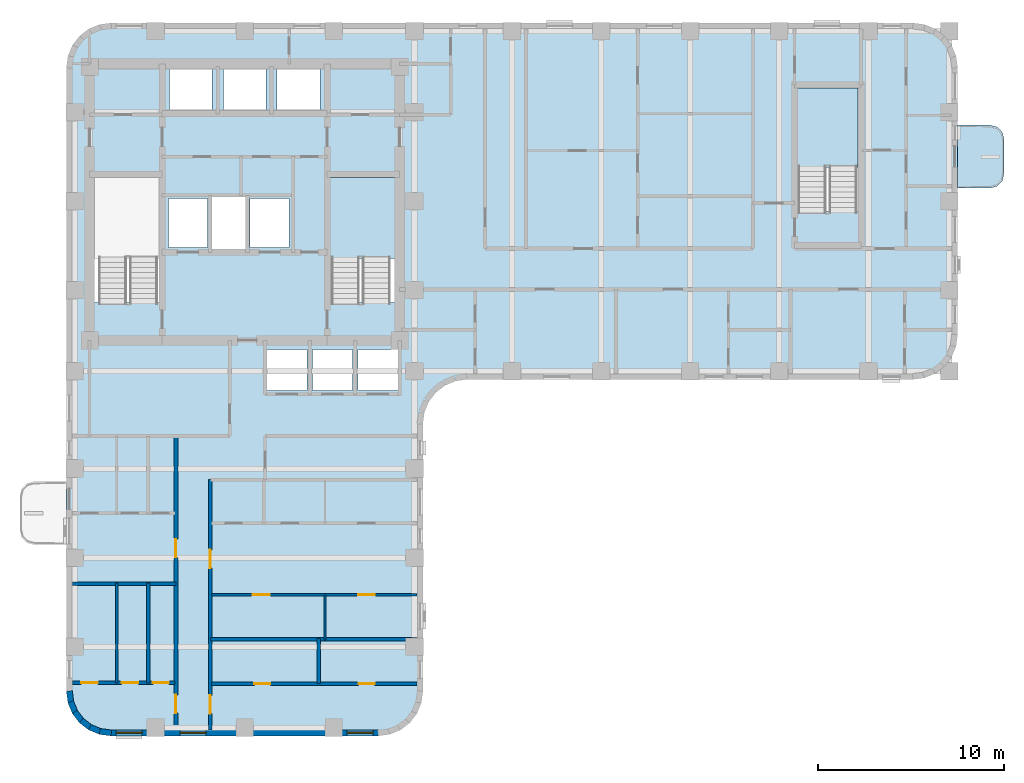
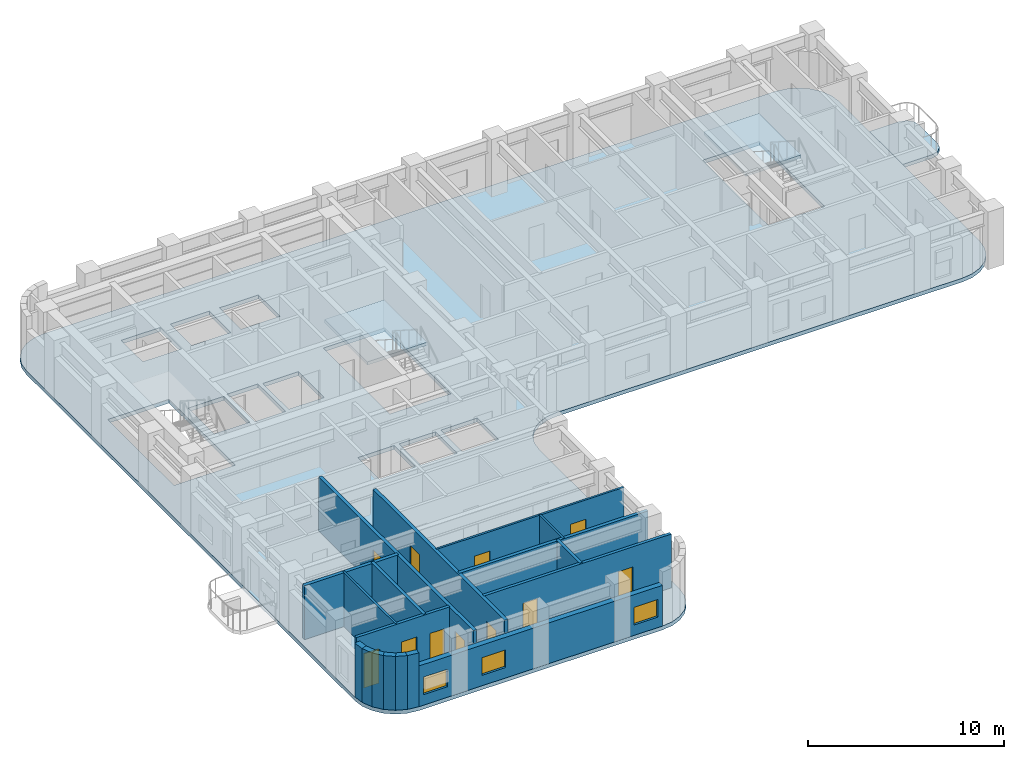
# One storey, part 2 of 9: 18 walls, 11 doors, 4 slabs, 3 windows, 14 openings, 2 elements without a shape of their own.
"""IFC4 building model written with IfcOpenShell, lengths in metres."""

from ifc_helpers import new_model, si_unit, direction, frame, frame_2d, origin, place, context, subcontext, project, spatial, polyline, rectangle, outline, extrude, material, layer, layer_set, type_object, element, fill, aggregate, save


model = new_model("IFC4")

# Units and contexts
model_context = context("Model", 3, precision=1e-05, world=origin(), true_north=direction((0.0, 1.0)))
body_context = subcontext(model_context, "Body", "Model", "MODEL_VIEW")
ifc_project = project(units=[si_unit("LENGTHUNIT", "METRE"), si_unit("AREAUNIT", "SQUARE_METRE"), si_unit("VOLUMEUNIT", "CUBIC_METRE"), si_unit("PLANEANGLEUNIT", "RADIAN"), si_unit("MASSUNIT", "GRAM", prefix="KILO")], contexts=[model_context])

# Site, building, storey
site_placement = place(None, origin())
site = spatial("IfcSite", under=ifc_project, at=site_placement, CompositionType="ELEMENT")
building_placement = place(site_placement, origin())
building = spatial("IfcBuilding", under=site, at=building_placement, Name="Orvandelia Arch Residences", CompositionType="ELEMENT")
storey_placement = place(building_placement, frame((0.0, 0.0, 128.800048828125)))
storey = spatial("IfcBuildingStorey", under=building, at=storey_placement, Name="L33", CompositionType="ELEMENT", Elevation=128.800048828125)

# Slab
ifc_material_1 = material(Name="Precast concrete C40/50", Category="concrete")
ifc_layer_1 = layer(ifc_material_1, 0.219970703125, Name="Precast concrete C40/50", Category="concrete")
ifc_layer_set_1 = layer_set([ifc_layer_1], Name="Precast concrete C40/50")
slab_type_1 = type_object("IfcSlabType", Name="SLB-BAL-220", PredefinedType="USERDEFINED", material=ifc_layer_set_1)
slab_1_placement = place(storey_placement, frame((0.0, 0.0, -0.219970703125)))
element("IfcSlab", 1, at=slab_1_placement, inside=storey, type_object=slab_type_1, Name="Tree Balcony Cantilever Slab BAL-L33-E1", ObjectType="BALCONY", PredefinedType="USERDEFINED", context=body_context, shape_type="SweptSolid", body=[
    extrude(outline(polyline([(52.800048828125, 42.5), (52.800048828125, 39.10009765625), (54.550048828125, 39.10009765625), (54.925048828125, 39.200439453125), (55.199462890625, 39.47509765625), (55.300048828125, 39.85009765625), (55.300048828125, 41.75), (55.199462890625, 42.125), (54.925048828125, 42.3994140625), (54.550048828125, 42.5), (52.800048828125, 42.5)])), origin(), (0.0, 0.0, 1.0), 0.219970703125),
])

# Stair, slab
ifc_material_2 = material(Name="Concrete C40/50", Category="concrete")
stair_type = type_object("IfcStairType", Name="STAIR-RC-DOGLEG", PredefinedType="HALF_TURN_STAIR", material=ifc_material_2)
stair_1_placement = place(storey_placement, origin())
stair_1 = element("IfcStair", 2, at=stair_1_placement, inside=storey, type_object=stair_type, Name="L33 Protected Exit Stair ST-2", PredefinedType="HALF_TURN_STAIR")
ifc_layer_2 = layer(ifc_material_2, 0.219970703125, Name="Concrete C40/50", Category="concrete")
ifc_layer_set_2 = layer_set([ifc_layer_2], Name="Concrete C40/50")
slab_type_2 = type_object("IfcSlabType", Name="SLB-LANDING-220", PredefinedType="LANDING", material=ifc_layer_set_2)
slab_2_placement = place(storey_placement, frame((0.0, 0.0, 1.599853515625)))
slab_2 = element("IfcSlab", 3, at=slab_2_placement, type_object=slab_type_2, Name="ST-2 landing 1", PredefinedType="LANDING", context=body_context, shape_type="SweptSolid", body=[
    extrude(outline(polyline([(22.5400390625, 35.31005859375), (22.5400390625, 39.68994140625), (19.0, 39.68994140625), (19.0, 35.31005859375), (22.5400390625, 35.31005859375)])), origin(), (0.0, 0.0, 1.0), 0.2001953125),
])
aggregate(stair_1, [slab_2])

stair_2_placement = place(storey_placement, origin())
stair_2 = element("IfcStair", 4, at=stair_2_placement, inside=storey, type_object=stair_type, Name="L33 East Wing Exit Stair ST-3", PredefinedType="HALF_TURN_STAIR")
slab_3_placement = place(storey_placement, frame((0.0, 0.0, 1.599853515625)))
slab_3 = element("IfcSlab", 5, at=slab_3_placement, type_object=slab_type_2, Name="ST-3 landing 1", PredefinedType="LANDING", context=body_context, shape_type="SweptSolid", body=[
    extrude(outline(polyline([(47.43994140625, 40.2099609375), (47.43994140625, 44.5), (44.179931640625, 44.5), (44.179931640625, 40.2099609375), (47.43994140625, 40.2099609375)])), origin(), (0.0, 0.0, 1.0), 0.2001953125),
])
aggregate(stair_2, [slab_3])

# Slab
ifc_layer_3 = layer(ifc_material_2, 0.239990234375, Name="Concrete C40/50", Category="concrete")
ifc_layer_set_3 = layer_set([ifc_layer_3], Name="Concrete C40/50")
slab_type_3 = type_object("IfcSlabType", Name="SLB-TWR-240", PredefinedType="FLOOR", material=ifc_layer_set_3)
slab_4_placement = place(storey_placement, frame((0.0, 0.0, -0.239990234375)))
element("IfcSlab", 6, at=slab_4_placement, inside=storey, type_object=slab_type_3, Name="Structural Floor Slab L33-1", PredefinedType="FLOOR", context=body_context, shape_type="SweptSolid", body=[
    extrude(outline(polyline([(4.800048828125, 12.0), (4.8818359375, 11.37890625), (5.12158203125, 10.800048828125), (5.5029296875, 10.302978515625), (6.0, 9.92138671875), (6.578857421875, 9.681884765625), (7.199951171875, 9.60009765625), (21.60009765625, 9.60009765625), (22.22119140625, 9.681884765625), (22.800048828125, 9.92138671875), (23.297119140625, 10.302978515625), (23.678466796875, 10.800048828125), (23.918212890625, 11.37890625), (24.0, 12.0), (24.0, 26.39990234375), (24.081787109375, 27.021240234375), (24.321533203125, 27.60009765625), (24.702880859375, 28.09716796875), (25.199951171875, 28.478515625), (25.77880859375, 28.71826171875), (26.39990234375, 28.800048828125), (50.39990234375, 28.800048828125), (51.021240234375, 28.8818359375), (51.60009765625, 29.12158203125), (52.09716796875, 29.5029296875), (52.478515625, 30.0), (52.71826171875, 30.578857421875), (52.800048828125, 31.199951171875), (52.800048828125, 45.60009765625), (52.71826171875, 46.22119140625), (52.478515625, 46.800048828125), (52.09716796875, 47.297119140625), (51.60009765625, 47.678466796875), (51.021240234375, 47.918212890625), (50.39990234375, 48.0), (7.199951171875, 48.0), (6.578857421875, 47.918212890625), (6.0, 47.678466796875), (5.5029296875, 47.297119140625), (5.12158203125, 46.800048828125), (4.8818359375, 46.22119140625), (4.800048828125, 45.60009765625), (4.800048828125, 12.0)]), holes=[polyline([(6.219970703125, 32.949951171875), (9.840087890625, 32.949951171875), (9.840087890625, 39.72998046875), (6.219970703125, 39.72998046875), (6.219970703125, 32.949951171875)]), polyline([(18.9599609375, 32.949951171875), (22.580078125, 32.949951171875), (22.580078125, 39.72998046875), (18.9599609375, 39.72998046875), (18.9599609375, 32.949951171875)]), polyline([(44.139892578125, 37.85009765625), (47.47998046875, 37.85009765625), (47.47998046875, 44.5400390625), (44.139892578125, 44.5400390625), (44.139892578125, 37.85009765625)]), polyline([(12.639892578125, 35.81005859375), (14.4599609375, 35.81005859375), (14.4599609375, 38.639892578125), (12.639892578125, 38.639892578125), (12.639892578125, 35.81005859375)]), polyline([(10.300048828125, 35.89990234375), (12.39990234375, 35.89990234375), (12.39990234375, 38.550048828125), (10.300048828125, 38.550048828125), (10.300048828125, 35.89990234375)]), polyline([(14.699951171875, 35.89990234375), (16.800048828125, 35.89990234375), (16.800048828125, 38.550048828125), (14.699951171875, 38.550048828125), (14.699951171875, 35.89990234375)]), polyline([(10.35009765625, 43.300048828125), (12.64990234375, 43.300048828125), (12.64990234375, 45.5), (10.35009765625, 45.5), (10.35009765625, 43.300048828125)]), polyline([(13.25, 43.300048828125), (15.550048828125, 43.300048828125), (15.550048828125, 45.5), (13.25, 45.5), (13.25, 43.300048828125)]), polyline([(16.14990234375, 43.300048828125), (18.449951171875, 43.300048828125), (18.449951171875, 45.5), (16.14990234375, 45.5), (16.14990234375, 43.300048828125)]), polyline([(15.60009765625, 28.199951171875), (17.75, 28.199951171875), (17.75, 30.39990234375), (15.60009765625, 30.39990234375), (15.60009765625, 28.199951171875)]), polyline([(18.050048828125, 28.199951171875), (20.199951171875, 28.199951171875), (20.199951171875, 30.39990234375), (18.050048828125, 30.39990234375), (18.050048828125, 28.199951171875)]), polyline([(20.5, 28.199951171875), (22.64990234375, 28.199951171875), (22.64990234375, 30.39990234375), (20.5, 30.39990234375), (20.5, 28.199951171875)])]), origin(), (0.0, 0.0, 1.0), 0.239990234375),
])

# Wall, openings, doors
ifc_material_3 = material(Name="Fire-Rated Corridor Partition")
ifc_layer_4 = layer(ifc_material_3, 0.199951171875, Name="Fire-Rated Corridor Partition")
ifc_layer_set_4 = layer_set([ifc_layer_4], Name="Fire-Rated Corridor Partition")
wall_type_1 = type_object("IfcWallType", Name="WL-CORR-200", PredefinedType="PARTITIONING", material=ifc_layer_set_4)
wall_1_placement = place(storey_placement, frame((10.699951171875, 9.919921875, 0.0), z_axis=(0.0, 0.0, 1.0), x_axis=(0.0, 1.0, 0.0)))
wall_1 = element("IfcWall", 7, at=wall_1_placement, inside=storey, type_object=wall_type_1, Name="Interior Partition Wall WL-L33-WC-W", PredefinedType="PARTITIONING", context=body_context, shape_type="SweptSolid", body=[
    extrude(rectangle(XDim=15.830078125, YDim=0.199951171875, at=frame_2d((7.9150390625, 0.0))), origin(), (0.0, 0.0, 1.0), 3.35986328125),
])
opening_1_placement = place(wall_1_placement, frame((0.910888671875, 0.0, 0.0)))
opening_1 = element("IfcOpeningElement", 8, at=opening_1_placement, cuts=wall_1, Name="Opening D1", PredefinedType="OPENING", context=body_context, shape_type="SweptSolid", body=[
    extrude(rectangle(XDim=0.97998046875, YDim=2.179931640625, at=frame_2d((0.489990234375, 1.08984375))), frame((0.0, 0.10986328125, 0.0), z_axis=(0.0, -1.0, 0.0), x_axis=(1.0, 0.0, 0.0)), (0.0, 0.0, 1.0), 0.219970703125),
])
opening_2_placement = place(wall_1_placement, frame((9.302001953125, 0.0, 0.0)))
opening_2 = element("IfcOpeningElement", 9, at=opening_2_placement, cuts=wall_1, Name="Opening D1", PredefinedType="OPENING", context=body_context, shape_type="SweptSolid", body=[
    extrude(rectangle(XDim=0.97998046875, YDim=2.179931640625, at=frame_2d((0.489990234375, 1.08984375))), frame((0.0, 0.10986328125, 0.0), z_axis=(0.0, -1.0, 0.0), x_axis=(1.0, 0.0, 0.0)), (0.0, 0.0, 1.0), 0.219970703125),
])
ifc_material_4 = material(Name="Solid-Core Timber Acoustic Fire Door", Category="wood")
door_type_1 = type_object("IfcDoorType", Name="DR-ENT-980", OperationType="NOTDEFINED", PredefinedType="DOOR", material=ifc_material_4)
door_1_placement = place(opening_1_placement, origin())
door_1 = element("IfcDoor", 10, at=door_1_placement, inside=storey, type_object=door_type_1, Name="Unit L33-01 Entrance Door", OperationType="SINGLE_SWING_LEFT", OverallHeight=2.179931640625, OverallWidth=0.97998046875, PredefinedType="DOOR", context=body_context, shape_type="SweptSolid", body=[
    extrude(rectangle(XDim=0.97998046875, YDim=2.179931640625, at=frame_2d((0.489990234375, 1.08984375))), frame((0.0, 0.02490234375, 0.0), z_axis=(0.0, -1.0, 0.0), x_axis=(1.0, 0.0, 0.0)), (0.0, 0.0, 1.0), 0.050048828125),
])
fill(opening_1, door_1)
door_2_placement = place(opening_2_placement, origin())
door_2 = element("IfcDoor", 11, at=door_2_placement, inside=storey, type_object=door_type_1, Name="Unit L33-02 Entrance Door", OperationType="SINGLE_SWING_RIGHT", OverallHeight=2.179931640625, OverallWidth=0.97998046875, PredefinedType="DOOR", context=body_context, shape_type="SweptSolid", body=[
    extrude(rectangle(XDim=0.97998046875, YDim=2.179931640625, at=frame_2d((0.489990234375, 1.08984375))), frame((0.0, 0.02490234375, 0.0), z_axis=(0.0, -1.0, 0.0), x_axis=(1.0, 0.0, 0.0)), (0.0, 0.0, 1.0), 0.050048828125),
])
fill(opening_2, door_2)

wall_2_placement = place(storey_placement, frame((12.550048828125, 9.919921875, 0.0), z_axis=(0.0, 0.0, 1.0), x_axis=(0.0, 1.0, 0.0)))
wall_2 = element("IfcWall", 12, at=wall_2_placement, inside=storey, type_object=wall_type_1, Name="Interior Partition Wall WL-L33-WC-E", PredefinedType="PARTITIONING", context=body_context, shape_type="SweptSolid", body=[
    extrude(rectangle(XDim=13.47998046875, YDim=0.199951171875, at=frame_2d((6.739990234375, 0.0))), origin(), (0.0, 0.0, 1.0), 3.35986328125),
])
opening_3_placement = place(wall_2_placement, frame((0.885009765625, 0.0, 0.0)))
opening_3 = element("IfcOpeningElement", 13, at=opening_3_placement, cuts=wall_2, Name="Opening D1", PredefinedType="OPENING", context=body_context, shape_type="SweptSolid", body=[
    extrude(rectangle(XDim=0.97998046875, YDim=2.179931640625, at=frame_2d((0.489990234375, 1.08984375))), frame((0.0, 0.10986328125, 0.0), z_axis=(0.0, -1.0, 0.0), x_axis=(1.0, 0.0, 0.0)), (0.0, 0.0, 1.0), 0.219970703125),
])
opening_4_placement = place(wall_2_placement, frame((8.718994140625, 0.0, 0.0)))
opening_4 = element("IfcOpeningElement", 14, at=opening_4_placement, cuts=wall_2, Name="Opening D1", PredefinedType="OPENING", context=body_context, shape_type="SweptSolid", body=[
    extrude(rectangle(XDim=0.97998046875, YDim=2.179931640625, at=frame_2d((0.489990234375, 1.08984375))), frame((0.0, 0.10986328125, 0.0), z_axis=(0.0, -1.0, 0.0), x_axis=(1.0, 0.0, 0.0)), (0.0, 0.0, 1.0), 0.219970703125),
])
door_3_placement = place(opening_3_placement, origin())
door_3 = element("IfcDoor", 15, at=door_3_placement, inside=storey, type_object=door_type_1, Name="Unit L33-03 Entrance Door", OperationType="SINGLE_SWING_LEFT", OverallHeight=2.179931640625, OverallWidth=0.97998046875, PredefinedType="DOOR", context=body_context, shape_type="SweptSolid", body=[
    extrude(rectangle(XDim=0.97998046875, YDim=2.179931640625, at=frame_2d((0.489990234375, 1.08984375))), frame((0.0, 0.02490234375, 0.0), z_axis=(0.0, -1.0, 0.0), x_axis=(1.0, 0.0, 0.0)), (0.0, 0.0, 1.0), 0.050048828125),
])
fill(opening_3, door_3)
door_4_placement = place(opening_4_placement, origin())
door_4 = element("IfcDoor", 16, at=door_4_placement, inside=storey, type_object=door_type_1, Name="Unit L33-04 Entrance Door", OperationType="SINGLE_SWING_RIGHT", OverallHeight=2.179931640625, OverallWidth=0.97998046875, PredefinedType="DOOR", context=body_context, shape_type="SweptSolid", body=[
    extrude(rectangle(XDim=0.97998046875, YDim=2.179931640625, at=frame_2d((0.489990234375, 1.08984375))), frame((0.0, 0.02490234375, 0.0), z_axis=(0.0, -1.0, 0.0), x_axis=(1.0, 0.0, 0.0)), (0.0, 0.0, 1.0), 0.050048828125),
])
fill(opening_4, door_4)

# Walls
ifc_layer_5 = layer(ifc_material_2, 0.199951171875, Name="Concrete C40/50", Category="concrete")
ifc_layer_set_5 = layer_set([ifc_layer_5], Name="Concrete C40/50")
wall_type_2 = type_object("IfcWallType", Name="WL-DEM-200", PredefinedType="SOLIDWALL", material=ifc_layer_set_5)
wall_3_placement = place(storey_placement, frame((5.1201171875, 17.800048828125, 0.0), z_axis=(0.0, 0.0, 1.0), x_axis=(1.0, 0.0, 0.0)))
element("IfcWall", 17, at=wall_3_placement, inside=storey, type_object=wall_type_2, Name="Interior Partition Wall WL-L33-DEM-WL-178", PredefinedType="SOLIDWALL", context=body_context, shape_type="SweptSolid", body=[
    extrude(rectangle(XDim=5.579833984375, YDim=0.199951171875, at=frame_2d((2.7900390625, 0.0))), origin(), (0.0, 0.0, 1.0), 3.35986328125),
])
wall_4_placement = place(storey_placement, frame((12.550048828125, 14.800048828125, 0.0), z_axis=(0.0, 0.0, 1.0), x_axis=(1.0, 0.0, 0.0)))
element("IfcWall", 18, at=wall_4_placement, inside=storey, type_object=wall_type_2, Name="Interior Partition Wall WL-L33-DEM-WR-148", PredefinedType="SOLIDWALL", context=body_context, shape_type="SweptSolid", body=[
    extrude(rectangle(XDim=11.1298828125, YDim=0.199951171875, at=frame_2d((5.56494140625, 0.0))), origin(), (0.0, 0.0, 1.0), 3.35986328125),
])

# Wall, openings, windows
ifc_layer_6 = layer(ifc_material_1, 0.320068359375, Name="Precast concrete C40/50", Category="concrete")
ifc_layer_set_6 = layer_set([ifc_layer_6], Name="Precast concrete C40/50")
wall_type_3 = type_object("IfcWallType", Name="WL-EXT-STONE-320", PredefinedType="STANDARD", material=ifc_layer_set_6)
wall_5_placement = place(storey_placement, frame((21.60009765625, 9.760009765625, 0.0), z_axis=(0.0, 0.0, 1.0), x_axis=(-1.0, 0.0, 0.0)))
wall_5 = element("IfcWall", 19, at=wall_5_placement, inside=storey, type_object=wall_type_3, Name="Coral-Limestone Precast Facade Wall L33-035", PredefinedType="STANDARD", context=body_context, shape_type="SweptSolid", body=[
    extrude(rectangle(XDim=14.400146484375, YDim=0.320068359375, at=frame_2d((7.2001953125, 0.0))), origin(), (0.0, 0.0, 1.0), 2.5400390625),
])
opening_5_placement = place(wall_5_placement, frame((0.282470703125, 0.0, 0.64990234375)))
opening_5 = element("IfcOpeningElement", 20, at=opening_5_placement, cuts=wall_5, Name="Opening W10", PredefinedType="OPENING", context=body_context, shape_type="SweptSolid", body=[
    extrude(rectangle(XDim=1.39990234375, YDim=1.10009765625, at=frame_2d((0.699951171875, 0.550048828125))), frame((0.0, 0.169921875, 0.0), z_axis=(0.0, -1.0, 0.0), x_axis=(1.0, 0.0, 0.0)), (0.0, 0.0, 1.0), 0.340087890625),
])
opening_6_placement = place(wall_5_placement, frame((9.27490234375, 0.0, 0.64990234375)))
opening_6 = element("IfcOpeningElement", 21, at=opening_6_placement, cuts=wall_5, Name="Opening W10", PredefinedType="OPENING", context=body_context, shape_type="SweptSolid", body=[
    extrude(rectangle(XDim=1.39990234375, YDim=1.10009765625, at=frame_2d((0.699951171875, 0.550048828125))), frame((0.0, 0.169921875, 0.0), z_axis=(0.0, -1.0, 0.0), x_axis=(1.0, 0.0, 0.0)), (0.0, 0.0, 1.0), 0.340087890625),
])
opening_7_placement = place(wall_5_placement, frame((12.717529296875, 0.0, 0.64990234375)))
opening_7 = element("IfcOpeningElement", 22, at=opening_7_placement, cuts=wall_5, Name="Opening W10", PredefinedType="OPENING", context=body_context, shape_type="SweptSolid", body=[
    extrude(rectangle(XDim=1.39990234375, YDim=1.10009765625, at=frame_2d((0.699951171875, 0.550048828125))), frame((0.0, 0.169921875, 0.0), z_axis=(0.0, -1.0, 0.0), x_axis=(1.0, 0.0, 0.0)), (0.0, 0.0, 1.0), 0.340087890625),
])
ifc_material_5 = material(Name="Tempered Low-E Insulated Glazing", Category="glass")
window_type = type_object("IfcWindowType", Name="WIN-CLR-1400x1100", PartitioningType="SINGLE_PANEL", PredefinedType="WINDOW", material=ifc_material_5)
window_1_placement = place(opening_5_placement, origin())
window_1 = element("IfcWindow", 23, at=window_1_placement, inside=storey, type_object=window_type, Name="Recessed Punched Window L33-022", OverallHeight=1.10009765625, OverallWidth=1.39990234375, PartitioningType="SINGLE_PANEL", PredefinedType="WINDOW", context=body_context, shape_type="SweptSolid", body=[
    extrude(rectangle(XDim=1.39990234375, YDim=1.10009765625, at=frame_2d((0.699951171875, 0.550048828125))), frame((0.0, 0.030029296875, 0.0), z_axis=(0.0, -1.0, 0.0), x_axis=(1.0, 0.0, 0.0)), (0.0, 0.0, 1.0), 0.06005859375),
])
fill(opening_5, window_1)
window_2_placement = place(opening_6_placement, origin())
window_2 = element("IfcWindow", 24, at=window_2_placement, inside=storey, type_object=window_type, Name="Recessed Punched Window L33-023", OverallHeight=1.10009765625, OverallWidth=1.39990234375, PartitioningType="SINGLE_PANEL", PredefinedType="WINDOW", context=body_context, shape_type="SweptSolid", body=[
    extrude(rectangle(XDim=1.39990234375, YDim=1.10009765625, at=frame_2d((0.699951171875, 0.550048828125))), frame((0.0, 0.030029296875, 0.0), z_axis=(0.0, -1.0, 0.0), x_axis=(1.0, 0.0, 0.0)), (0.0, 0.0, 1.0), 0.06005859375),
])
fill(opening_6, window_2)
window_3_placement = place(opening_7_placement, origin())
window_3 = element("IfcWindow", 25, at=window_3_placement, inside=storey, type_object=window_type, Name="Recessed Punched Window L33-024", OverallHeight=1.10009765625, OverallWidth=1.39990234375, PartitioningType="SINGLE_PANEL", PredefinedType="WINDOW", context=body_context, shape_type="SweptSolid", body=[
    extrude(rectangle(XDim=1.39990234375, YDim=1.10009765625, at=frame_2d((0.699951171875, 0.550048828125))), frame((0.0, 0.030029296875, 0.0), z_axis=(0.0, -1.0, 0.0), x_axis=(1.0, 0.0, 0.0)), (0.0, 0.0, 1.0), 0.06005859375),
])
fill(opening_7, window_3)

# Walls
wall_6_placement = place(storey_placement, frame((7.220947265625, 9.758544921875, 0.0), z_axis=(0.0, 0.0, 1.0), x_axis=(-0.991447664465, 0.130504898859, 0.0)))
element("IfcWall", 26, at=wall_6_placement, inside=storey, type_object=wall_type_3, Name="Coral-Limestone Precast Facade Wall L33-036", PredefinedType="STANDARD", context=body_context, shape_type="SweptSolid", body=[
    extrude(rectangle(XDim=0.626708984375, YDim=0.320068359375, at=frame_2d((0.3134765625, 0.0))), origin(), (0.0, 0.0, 1.0), 3.35986328125),
])
wall_7_placement = place(storey_placement, frame((6.639892578125, 9.82958984375, 0.0), z_axis=(0.0, 0.0, 1.0), x_axis=(-0.923836271867, 0.382787856107, 0.0)))
element("IfcWall", 27, at=wall_7_placement, inside=storey, type_object=wall_type_3, Name="Coral-Limestone Precast Facade Wall L33-037", PredefinedType="STANDARD", context=body_context, shape_type="SweptSolid", body=[
    extrude(rectangle(XDim=0.626220703125, YDim=0.320068359375, at=frame_2d((0.31298828125, 0.0))), origin(), (0.0, 0.0, 1.0), 3.35986328125),
])
wall_8_placement = place(storey_placement, frame((6.097412109375, 10.04833984375, 0.0), z_axis=(0.0, 0.0, 1.0), x_axis=(-0.793405610854, 0.608693302629, 0.0)))
element("IfcWall", 28, at=wall_8_placement, inside=storey, type_object=wall_type_3, Name="Coral-Limestone Precast Facade Wall L33-038", PredefinedType="STANDARD", context=body_context, shape_type="SweptSolid", body=[
    extrude(rectangle(XDim=0.62646484375, YDim=0.320068359375, at=frame_2d((0.313232421875, 0.0))), origin(), (0.0, 0.0, 1.0), 3.35986328125),
])
wall_9_placement = place(storey_placement, frame((5.6298828125, 10.400390625, 0.0), z_axis=(0.0, 0.0, 1.0), x_axis=(-0.608938521285, 0.7932174212, 0.0)))
element("IfcWall", 29, at=wall_9_placement, inside=storey, type_object=wall_type_3, Name="Coral-Limestone Precast Facade Wall L33-039", PredefinedType="STANDARD", context=body_context, shape_type="SweptSolid", body=[
    extrude(rectangle(XDim=0.626708984375, YDim=0.320068359375, at=frame_2d((0.3134765625, 0.0))), origin(), (0.0, 0.0, 1.0), 3.35986328125),
])
wall_10_placement = place(storey_placement, frame((5.269287109375, 10.861083984375, 0.0), z_axis=(0.0, 0.0, 1.0), x_axis=(-0.382650053678, 0.92389335771, 0.0)))
element("IfcWall", 30, at=wall_10_placement, inside=storey, type_object=wall_type_3, Name="Coral-Limestone Precast Facade Wall L33-040", PredefinedType="STANDARD", context=body_context, shape_type="SweptSolid", body=[
    extrude(rectangle(XDim=0.62646484375, YDim=0.320068359375, at=frame_2d((0.313232421875, 0.0))), origin(), (0.0, 0.0, 1.0), 3.35986328125),
])
wall_11_placement = place(storey_placement, frame((5.040283203125, 11.399658203125, 0.0), z_axis=(0.0, 0.0, 1.0), x_axis=(-0.130504898859, 0.991447664465, 0.0)))
element("IfcWall", 31, at=wall_11_placement, inside=storey, type_object=wall_type_3, Name="Coral-Limestone Precast Facade Wall L33-041", PredefinedType="STANDARD", context=body_context, shape_type="SweptSolid", body=[
    extrude(rectangle(XDim=0.626708984375, YDim=0.320068359375, at=frame_2d((0.3134765625, 0.0))), origin(), (0.0, 0.0, 1.0), 3.35986328125),
])
ifc_material_6 = material(Name="Lightweight Gypsum Stud Partition")
ifc_layer_7 = layer(ifc_material_6, 0.1201171875, Name="Lightweight Gypsum Stud Partition")
ifc_layer_set_7 = layer_set([ifc_layer_7], Name="Lightweight Gypsum Stud Partition")
wall_type_4 = type_object("IfcWallType", Name="WL-PART-120", PredefinedType="PARTITIONING", material=ifc_layer_set_7)
wall_12_placement = place(storey_placement, frame((7.514892578125, 12.4619140625, 0.0), z_axis=(0.0, 0.0, 1.0), x_axis=(0.0, 1.0, 0.0)))
element("IfcWall", 32, at=wall_12_placement, inside=storey, type_object=wall_type_4, Name="Interior Partition Wall WL-L33-U01-V1", PredefinedType="PARTITIONING", context=body_context, shape_type="SweptSolid", body=[
    extrude(rectangle(XDim=5.378173828125, YDim=0.1201171875, at=frame_2d((2.68896484375, 0.0))), origin(), (0.0, 0.0, 1.0), 3.35986328125),
])

# Wall, openings, doors
wall_13_placement = place(storey_placement, frame((12.610107421875, 17.197998046875, 0.0), z_axis=(0.0, 0.0, 1.0), x_axis=(1.0, 0.0, 0.0)))
wall_13 = element("IfcWall", 33, at=wall_13_placement, inside=storey, type_object=wall_type_4, Name="Interior Partition Wall WL-L33-U04-HB", PredefinedType="PARTITIONING", context=body_context, shape_type="SweptSolid", body=[
    extrude(rectangle(XDim=11.06982421875, YDim=0.1201171875, at=frame_2d((5.534912109375, 0.0))), origin(), (0.0, 0.0, 1.0), 3.35986328125),
])
opening_8_placement = place(wall_13_placement, frame((2.2373046875, 0.0, 0.0)))
opening_8 = element("IfcOpeningElement", 34, at=opening_8_placement, cuts=wall_13, Name="Opening D3", PredefinedType="OPENING", context=body_context, shape_type="SweptSolid", body=[
    extrude(rectangle(XDim=0.89990234375, YDim=2.14990234375, at=frame_2d((0.449951171875, 1.074951171875))), frame((0.0, 0.070068359375, 0.0), z_axis=(0.0, -1.0, 0.0), x_axis=(1.0, 0.0, 0.0)), (0.0, 0.0, 1.0), 0.14013671875),
])
opening_9_placement = place(wall_13_placement, frame((7.903076171875, 0.0, 0.0)))
opening_9 = element("IfcOpeningElement", 35, at=opening_9_placement, cuts=wall_13, Name="Opening D3", PredefinedType="OPENING", context=body_context, shape_type="SweptSolid", body=[
    extrude(rectangle(XDim=0.89990234375, YDim=2.14990234375, at=frame_2d((0.449951171875, 1.074951171875))), frame((0.0, 0.070068359375, 0.0), z_axis=(0.0, -1.0, 0.0), x_axis=(1.0, 0.0, 0.0)), (0.0, 0.0, 1.0), 0.14013671875),
])
ifc_material_7 = material(Name="Engineered Timber Flush Door", Category="wood")
door_type_2 = type_object("IfcDoorType", Name="DR-INT-900", OperationType="NOTDEFINED", PredefinedType="DOOR", material=ifc_material_7)
door_5_placement = place(opening_8_placement, origin())
door_5 = element("IfcDoor", 36, at=door_5_placement, inside=storey, type_object=door_type_2, Name="DR-L33-U04-STDY", OperationType="SINGLE_SWING_RIGHT", OverallHeight=2.14990234375, OverallWidth=0.89990234375, PredefinedType="DOOR", context=body_context, shape_type="SweptSolid", body=[
    extrude(rectangle(XDim=0.89990234375, YDim=2.14990234375, at=frame_2d((0.449951171875, 1.074951171875))), frame((0.0, 0.02490234375, 0.0), z_axis=(0.0, -1.0, 0.0), x_axis=(1.0, 0.0, 0.0)), (0.0, 0.0, 1.0), 0.050048828125),
])
fill(opening_8, door_5)
door_6_placement = place(opening_9_placement, origin())
door_6 = element("IfcDoor", 37, at=door_6_placement, inside=storey, type_object=door_type_2, Name="DR-L33-U04-BD2", OperationType="SINGLE_SWING_LEFT", OverallHeight=2.14990234375, OverallWidth=0.89990234375, PredefinedType="DOOR", context=body_context, shape_type="SweptSolid", body=[
    extrude(rectangle(XDim=0.89990234375, YDim=2.14990234375, at=frame_2d((0.449951171875, 1.074951171875))), frame((0.0, 0.02490234375, 0.0), z_axis=(0.0, -1.0, 0.0), x_axis=(1.0, 0.0, 0.0)), (0.0, 0.0, 1.0), 0.050048828125),
])
fill(opening_9, door_6)

# Wall
wall_14_placement = place(storey_placement, frame((18.73193359375, 14.760009765625, 0.0), z_axis=(0.0, 0.0, 1.0), x_axis=(0.0, 1.0, 0.0)))
element("IfcWall", 38, at=wall_14_placement, inside=storey, type_object=wall_type_4, Name="Interior Partition Wall WL-L33-U04-VB", PredefinedType="PARTITIONING", context=body_context, shape_type="SweptSolid", body=[
    extrude(rectangle(XDim=2.43798828125, YDim=0.1201171875, at=frame_2d((1.218994140625, 0.0))), origin(), (0.0, 0.0, 1.0), 3.35986328125),
])

# Wall, openings, doors
ifc_material_8 = material(Name="Moisture-Resistant Plumbing Wall")
ifc_layer_8 = layer(ifc_material_8, 0.179931640625, Name="Moisture-Resistant Plumbing Wall")
ifc_layer_set_8 = layer_set([ifc_layer_8], Name="Moisture-Resistant Plumbing Wall")
wall_type_5 = type_object("IfcWallType", Name="WL-WET-180", PredefinedType="PLUMBINGWALL", material=ifc_layer_set_8)
wall_15_placement = place(storey_placement, frame((5.1201171875, 12.4619140625, 0.0), z_axis=(0.0, 0.0, 1.0), x_axis=(1.0, 0.0, 0.0)))
wall_15 = element("IfcWall", 39, at=wall_15_placement, inside=storey, type_object=wall_type_5, Name="Interior Partition Wall WL-L33-U01-HZ", PredefinedType="PLUMBINGWALL", context=body_context, shape_type="SweptSolid", body=[
    extrude(rectangle(XDim=5.519775390625, YDim=0.179931640625, at=frame_2d((2.759765625, 0.0))), origin(), (0.0, 0.0, 1.0), 3.35986328125),
])
opening_10_placement = place(wall_15_placement, frame((0.47216796875, 0.0, 0.0)))
opening_10 = element("IfcOpeningElement", 40, at=opening_10_placement, cuts=wall_15, Name="Opening D3", PredefinedType="OPENING", context=body_context, shape_type="SweptSolid", body=[
    extrude(rectangle(XDim=0.89990234375, YDim=2.14990234375, at=frame_2d((0.449951171875, 1.074951171875))), frame((0.0, 0.10009765625, 0.0), z_axis=(0.0, -1.0, 0.0), x_axis=(1.0, 0.0, 0.0)), (0.0, 0.0, 1.0), 0.199951171875),
])
opening_11_placement = place(wall_15_placement, frame((2.655029296875, 0.0, 0.0)))
opening_11 = element("IfcOpeningElement", 41, at=opening_11_placement, cuts=wall_15, Name="Opening D3", PredefinedType="OPENING", context=body_context, shape_type="SweptSolid", body=[
    extrude(rectangle(XDim=0.89990234375, YDim=2.14990234375, at=frame_2d((0.449951171875, 1.074951171875))), frame((0.0, 0.10009765625, 0.0), z_axis=(0.0, -1.0, 0.0), x_axis=(1.0, 0.0, 0.0)), (0.0, 0.0, 1.0), 0.199951171875),
])
opening_12_placement = place(wall_15_placement, frame((4.342041015625, 0.0, 0.0)))
opening_12 = element("IfcOpeningElement", 42, at=opening_12_placement, cuts=wall_15, Name="Opening D4", PredefinedType="OPENING", context=body_context, shape_type="SweptSolid", body=[
    extrude(rectangle(XDim=0.860107421875, YDim=2.10009765625, at=frame_2d((0.43017578125, 1.050048828125))), frame((0.0, 0.10009765625, 0.0), z_axis=(0.0, -1.0, 0.0), x_axis=(1.0, 0.0, 0.0)), (0.0, 0.0, 1.0), 0.199951171875),
])
door_7_placement = place(opening_10_placement, origin())
door_7 = element("IfcDoor", 43, at=door_7_placement, inside=storey, type_object=door_type_2, Name="DR-L33-U01-BD1", OperationType="SINGLE_SWING_LEFT", OverallHeight=2.14990234375, OverallWidth=0.89990234375, PredefinedType="DOOR", context=body_context, shape_type="SweptSolid", body=[
    extrude(rectangle(XDim=0.89990234375, YDim=2.14990234375, at=frame_2d((0.449951171875, 1.074951171875))), frame((0.0, 0.02490234375, 0.0), z_axis=(0.0, -1.0, 0.0), x_axis=(1.0, 0.0, 0.0)), (0.0, 0.0, 1.0), 0.050048828125),
])
fill(opening_10, door_7)
door_8_placement = place(opening_11_placement, origin())
door_8 = element("IfcDoor", 44, at=door_8_placement, inside=storey, type_object=door_type_2, Name="DR-L33-U01-KIT", OperationType="SINGLE_SWING_RIGHT", OverallHeight=2.14990234375, OverallWidth=0.89990234375, PredefinedType="DOOR", context=body_context, shape_type="SweptSolid", body=[
    extrude(rectangle(XDim=0.89990234375, YDim=2.14990234375, at=frame_2d((0.449951171875, 1.074951171875))), frame((0.0, 0.02490234375, 0.0), z_axis=(0.0, -1.0, 0.0), x_axis=(1.0, 0.0, 0.0)), (0.0, 0.0, 1.0), 0.050048828125),
])
fill(opening_11, door_8)
ifc_material_9 = material(Name="Moisture-Sealed Timber Bathroom Door", Category="wood")
door_type_3 = type_object("IfcDoorType", Name="DR-WET-900", OperationType="NOTDEFINED", PredefinedType="DOOR", material=ifc_material_9)
door_9_placement = place(opening_12_placement, origin())
door_9 = element("IfcDoor", 45, at=door_9_placement, inside=storey, type_object=door_type_3, Name="DR-L33-U01-BTH", OperationType="SINGLE_SWING_LEFT", OverallHeight=2.10009765625, OverallWidth=0.860107421875, PredefinedType="DOOR", context=body_context, shape_type="SweptSolid", body=[
    extrude(rectangle(XDim=0.860107421875, YDim=2.10009765625, at=frame_2d((0.43017578125, 1.050048828125))), frame((0.0, 0.02490234375, 0.0), z_axis=(0.0, -1.0, 0.0), x_axis=(1.0, 0.0, 0.0)), (0.0, 0.0, 1.0), 0.050048828125),
])
fill(opening_12, door_9)

# Wall
wall_16_placement = place(storey_placement, frame((9.201904296875, 12.4619140625, 0.0), z_axis=(0.0, 0.0, 1.0), x_axis=(0.0, 1.0, 0.0)))
element("IfcWall", 46, at=wall_16_placement, inside=storey, type_object=wall_type_5, Name="Interior Partition Wall WL-L33-U01-V2", PredefinedType="PLUMBINGWALL", context=body_context, shape_type="SweptSolid", body=[
    extrude(rectangle(XDim=5.378173828125, YDim=0.179931640625, at=frame_2d((2.68896484375, 0.0))), origin(), (0.0, 0.0, 1.0), 3.35986328125),
])

# Wall, openings, doors
wall_17_placement = place(storey_placement, frame((12.610107421875, 12.409912109375, 0.0), z_axis=(0.0, 0.0, 1.0), x_axis=(1.0, 0.0, 0.0)))
wall_17 = element("IfcWall", 47, at=wall_17_placement, inside=storey, type_object=wall_type_5, Name="Interior Partition Wall WL-L33-U03-HZ", PredefinedType="PLUMBINGWALL", context=body_context, shape_type="SweptSolid", body=[
    extrude(rectangle(XDim=11.06982421875, YDim=0.179931640625, at=frame_2d((5.534912109375, 0.0))), origin(), (0.0, 0.0, 1.0), 3.35986328125),
])
opening_13_placement = place(wall_17_placement, frame((2.319091796875, 0.0, 0.0)))
opening_13 = element("IfcOpeningElement", 48, at=opening_13_placement, cuts=wall_17, Name="Opening D4", PredefinedType="OPENING", context=body_context, shape_type="SweptSolid", body=[
    extrude(rectangle(XDim=0.860107421875, YDim=2.10009765625, at=frame_2d((0.43017578125, 1.050048828125))), frame((0.0, 0.10009765625, 0.0), z_axis=(0.0, -1.0, 0.0), x_axis=(1.0, 0.0, 0.0)), (0.0, 0.0, 1.0), 0.199951171875),
])
opening_14_placement = place(wall_17_placement, frame((7.93408203125, 0.0, 0.0)))
opening_14 = element("IfcOpeningElement", 49, at=opening_14_placement, cuts=wall_17, Name="Opening D4", PredefinedType="OPENING", context=body_context, shape_type="SweptSolid", body=[
    extrude(rectangle(XDim=0.860107421875, YDim=2.10009765625, at=frame_2d((0.43017578125, 1.050048828125))), frame((0.0, 0.10009765625, 0.0), z_axis=(0.0, -1.0, 0.0), x_axis=(1.0, 0.0, 0.0)), (0.0, 0.0, 1.0), 0.199951171875),
])
door_10_placement = place(opening_13_placement, origin())
door_10 = element("IfcDoor", 50, at=door_10_placement, inside=storey, type_object=door_type_3, Name="DR-L33-U03-KIT", OperationType="SINGLE_SWING_LEFT", OverallHeight=2.10009765625, OverallWidth=0.860107421875, PredefinedType="DOOR", context=body_context, shape_type="SweptSolid", body=[
    extrude(rectangle(XDim=0.860107421875, YDim=2.10009765625, at=frame_2d((0.43017578125, 1.050048828125))), frame((0.0, 0.02490234375, 0.0), z_axis=(0.0, -1.0, 0.0), x_axis=(1.0, 0.0, 0.0)), (0.0, 0.0, 1.0), 0.050048828125),
])
fill(opening_13, door_10)
door_11_placement = place(opening_14_placement, origin())
door_11 = element("IfcDoor", 51, at=door_11_placement, inside=storey, type_object=door_type_3, Name="DR-L33-U03-BTH", OperationType="SINGLE_SWING_RIGHT", OverallHeight=2.10009765625, OverallWidth=0.860107421875, PredefinedType="DOOR", context=body_context, shape_type="SweptSolid", body=[
    extrude(rectangle(XDim=0.860107421875, YDim=2.10009765625, at=frame_2d((0.43017578125, 1.050048828125))), frame((0.0, 0.02490234375, 0.0), z_axis=(0.0, -1.0, 0.0), x_axis=(1.0, 0.0, 0.0)), (0.0, 0.0, 1.0), 0.050048828125),
])
fill(opening_14, door_11)

# Wall
wall_18_placement = place(storey_placement, frame((18.39794921875, 12.409912109375, 0.0), z_axis=(0.0, 0.0, 1.0), x_axis=(0.0, 1.0, 0.0)))
element("IfcWall", 52, at=wall_18_placement, inside=storey, type_object=wall_type_5, Name="Interior Partition Wall WL-L33-U03-V1", PredefinedType="PLUMBINGWALL", context=body_context, shape_type="SweptSolid", body=[
    extrude(rectangle(XDim=2.43017578125, YDim=0.179931640625, at=frame_2d((1.215087890625, 0.0))), origin(), (0.0, 0.0, 1.0), 3.35986328125),
])

save(model, "model.ifc")
